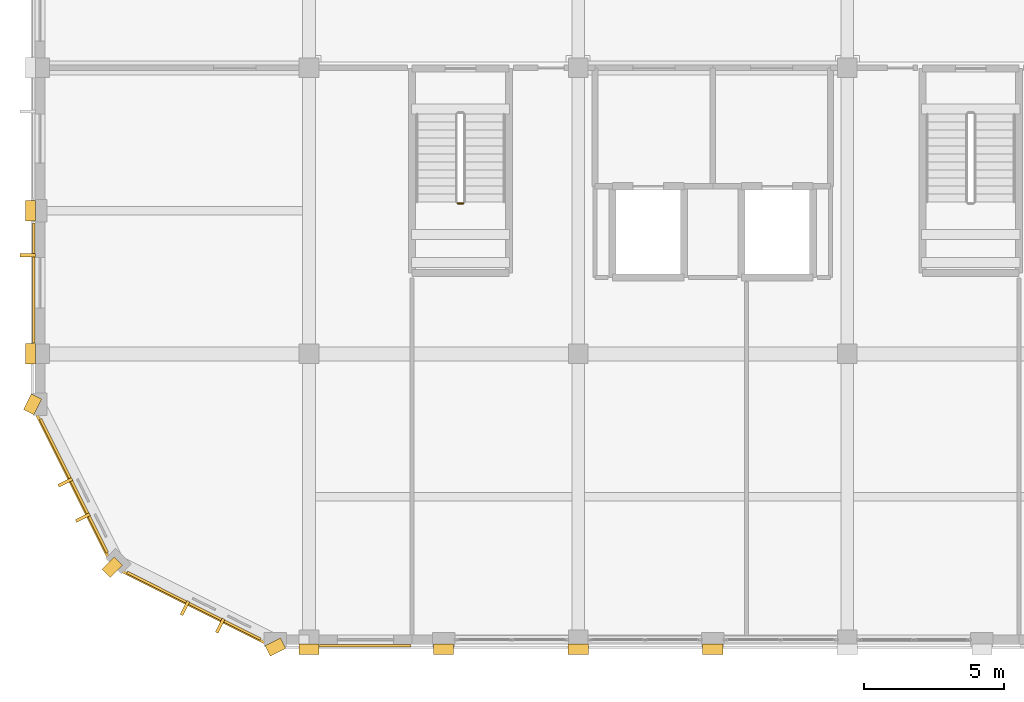
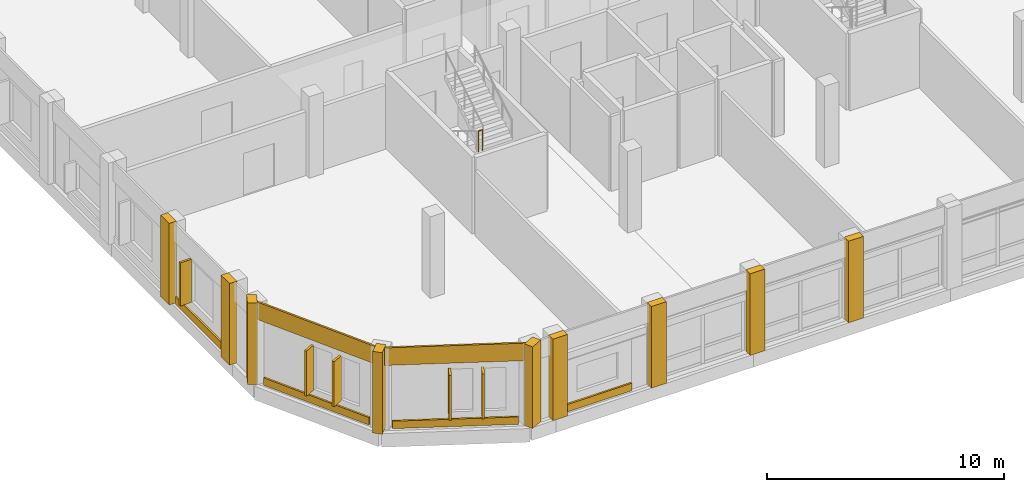
# One storey, part 169 of 185: 15 coverings, 5 shading devices, 1 railing.
"""IFC4 building model written with IfcOpenShell, lengths in metres."""

from ifc_helpers import new_model, si_unit, direction, frame, origin, origin_2d, place, context, subcontext, project, spatial, rectangle, circle, extrude, material, layer, layer_set, type_object, element, save


model = new_model("IFC4")

# Units and contexts
model_context = context("Model", 3, precision=1e-05, world=origin(), true_north=direction((0.0, 1.0)))
body_context = subcontext(model_context, "Body", "Model", "MODEL_VIEW")
ifc_project = project(units=[si_unit("LENGTHUNIT", "METRE"), si_unit("AREAUNIT", "SQUARE_METRE"), si_unit("VOLUMEUNIT", "CUBIC_METRE"), si_unit("PLANEANGLEUNIT", "RADIAN"), si_unit("MASSUNIT", "GRAM", prefix="KILO")], contexts=[model_context])

# Site, building, storey
site_placement = place(None, origin())
site = spatial("IfcSite", under=ifc_project, at=site_placement, CompositionType="ELEMENT")
building_placement = place(site_placement, origin())
building = spatial("IfcBuilding", under=site, at=building_placement, Name="Vondelvale Polytechnic", CompositionType="ELEMENT")
storey_placement = place(building_placement, frame((0.0, 0.0, 9.60009765625)))
storey = spatial("IfcBuildingStorey", under=building, at=storey_placement, Name="L02", CompositionType="ELEMENT", Elevation=9.60009765625)

# Coverings
ifc_material_1 = material(Name="Amsterdam School iron-spot clinker clay brickwork", Category="masonry")
ifc_layer_1 = layer(ifc_material_1, 0.090087890625)
ifc_layer_set_1 = layer_set([ifc_layer_1], Name="COV-BRICK-RELIEF")
covering_type = type_object("IfcCoveringType", Name="COV-BRICK-RELIEF", PredefinedType="CLADDING", material=ifc_layer_set_1)
for number, where, z_axis, x_axis, name in (
    (1, (5.4814453125, 1.1630859375, 3.300048828125), (0.0, 0.0, 1.0), (-0.89438856037, 0.447290848419, 0.0), "L02 exterior masonry spandrel band"),
    (2, (1.1630859375, 5.4814453125, 3.300048828125), (0.0, 0.0, 1.0), (-0.447290848419, 0.89438856037, 0.0), "L02 exterior masonry spandrel band"),
):
    element("IfcCovering", number, at=place(storey_placement, frame(where, z_axis=z_axis, x_axis=x_axis)), inside=storey, type_object=covering_type, Name=name, PredefinedType="CLADDING", context=body_context, shape_type="SweptSolid", body=[
        extrude(rectangle(XDim=6.260986328125, YDim=0.090087890625, at=origin_2d()), origin(), (0.0, 0.0, 1.0), 0.89990234375),
    ])
for number, where, z_axis, x_axis, name in (
    (3, (5.491943359375, 1.212646484375, 0.0), (0.0, 0.0, 1.0), (-0.89438856037, 0.447290848419, 0.0), "L02 exterior corbelled masonry relief band"),
    (4, (1.212646484375, 5.491943359375, 0.0), (0.0, 0.0, 1.0), (-0.447290848419, 0.89438856037, 0.0), "L02 exterior corbelled masonry relief band"),
):
    element("IfcCovering", number, at=place(storey_placement, frame(where, z_axis=z_axis, x_axis=x_axis)), inside=storey, type_object=covering_type, Name=name, PredefinedType="CLADDING", context=body_context, shape_type="SweptSolid", body=[
        extrude(rectangle(XDim=5.330078125, YDim=0.090087890625, at=origin_2d()), origin(), (0.0, 0.0, 1.0), 0.3798828125),
    ])
covering_1_placement = place(storey_placement, frame((11.613037109375, -0.216064453125, 0.0), z_axis=(0.0, 0.0, 1.0), x_axis=(-1.0, 0.0, 0.0)))
element("IfcCovering", 5, at=covering_1_placement, inside=storey, type_object=covering_type, Name="L02 exterior corbelled masonry relief band", PredefinedType="CLADDING", context=body_context, shape_type="SweptSolid", body=[
    extrude(rectangle(XDim=3.263916015625, YDim=0.090087890625, at=origin_2d()), origin(), (0.0, 0.0, 1.0), 0.3798828125),
])
covering_2_placement = place(storey_placement, frame((-0.216064453125, 12.72509765625, 0.0), z_axis=(0.0, 0.0, 1.0), x_axis=(0.0, 1.0, 0.0)))
element("IfcCovering", 6, at=covering_2_placement, inside=storey, type_object=covering_type, Name="L02 exterior corbelled masonry relief band", PredefinedType="CLADDING", context=body_context, shape_type="SweptSolid", body=[
    extrude(rectangle(XDim=4.2880859375, YDim=0.090087890625, at=origin_2d()), origin(), (0.0, 0.0, 1.0), 0.3798828125),
])
for number, where, z_axis, x_axis, name in (
    (7, (9.60009765625, -0.340087890625, 0.0), (0.0, 0.0, 1.0), (1.0, 0.0, 0.0), "L02 Classical street pilaster"),
    (8, (14.39990234375, -0.340087890625, 0.0), (0.0, 0.0, 1.0), (1.0, 0.0, 0.0), "L02 Classical street pilaster"),
    (9, (19.199951171875, -0.340087890625, 0.0), (0.0, 0.0, 1.0), (1.0, 0.0, 0.0), "L02 Classical street pilaster"),
    (10, (24.0, -0.340087890625, 0.0), (0.0, 0.0, 1.0), (1.0, 0.0, 0.0), "L02 Classical street pilaster"),
):
    element("IfcCovering", number, at=place(storey_placement, frame(where, z_axis=z_axis, x_axis=x_axis)), inside=storey, type_object=covering_type, Name=name, PredefinedType="CLADDING", context=body_context, shape_type="SweptSolid", body=[
        extrude(rectangle(XDim=0.719970703125, YDim=0.360107421875, at=origin_2d()), origin(), (0.0, 0.0, 1.0), 4.199951171875),
    ])
for number, where, z_axis, x_axis, name in (
    (11, (-0.340087890625, 10.199951171875, 0.0), (0.0, 0.0, 1.0), (1.0, 0.0, 0.0), "L02 Classical street pilaster"),
    (12, (-0.340087890625, 15.300048828125, 0.0), (0.0, 0.0, 1.0), (1.0, 0.0, 0.0), "L02 Classical street pilaster"),
):
    element("IfcCovering", number, at=place(storey_placement, frame(where, z_axis=z_axis, x_axis=x_axis)), inside=storey, type_object=covering_type, Name=name, PredefinedType="CLADDING", context=body_context, shape_type="SweptSolid", body=[
        extrude(rectangle(XDim=0.360107421875, YDim=0.719970703125, at=origin_2d()), origin(), (0.0, 0.0, 1.0), 4.199951171875),
    ])
for number, where, z_axis, x_axis, name in (
    (13, (8.39990234375, -0.260009765625, 0.0), (0.0, 0.0, 1.0), (0.894934361602, 0.44619781311, 0.0), "L02 Amsterdam School turret buttress rib"),
    (14, (2.580078125, 2.580078125, 0.0), (0.0, 0.0, 1.0), (0.707106781187, 0.707106781187, 0.0), "L02 Amsterdam School turret buttress rib"),
    (15, (-0.260009765625, 8.39990234375, 0.0), (0.0, 0.0, 1.0), (0.44619781311, 0.894934361602, 0.0), "L02 Amsterdam School turret buttress rib"),
):
    element("IfcCovering", number, at=place(storey_placement, frame(where, z_axis=z_axis, x_axis=x_axis)), inside=storey, type_object=covering_type, Name=name, PredefinedType="CLADDING", context=body_context, shape_type="SweptSolid", body=[
        extrude(rectangle(XDim=0.6201171875, YDim=0.419921875, at=origin_2d()), origin(), (0.0, 0.0, 1.0), 4.199951171875),
    ])

# Railing
ifc_material_2 = material(Name="Brushed architectural stainless and zinc-coated metal")
ifc_layer_2 = layer(ifc_material_2, 0.050048828125)
ifc_layer_set_2 = layer_set([ifc_layer_2], Name="RL-STAIR-GUARD")
railing_type = type_object("IfcRailingType", Name="RL-STAIR-GUARD", PredefinedType="GUARDRAIL", material=ifc_layer_set_2)
railing_placement = place(storey_placement, frame((14.89990234375, 15.56494140625, 2.099853515625)))
element("IfcRailing", 16, at=railing_placement, inside=storey, type_object=railing_type, Name="L02 ST-03 stair guard 2", PredefinedType="GUARDRAIL", context=body_context, shape_type="SweptSolid", body=[
    extrude(circle(Radius=0.02392578125, at=origin_2d()), frame((0.0, 0.0, 1.076171875), z_axis=(1.0, 0.0, 0.0), x_axis=(0.0, 1.0, 0.0)), (0.0, 0.0, 1.0), 0.2001953125),
    extrude(circle(Radius=0.02099609375, at=origin_2d()), origin(), (0.0, 0.0, 1.0), 1.052001953125),
    extrude(circle(Radius=0.02099609375, at=origin_2d()), frame((0.2001953125, 0.0, 0.0)), (0.0, 0.0, 1.0), 1.052001953125),
])

# Shading devices
ifc_material_3 = material(Name="Kiln-fired architectural terracotta", Category="masonry")
shading_device_type = type_object("IfcShadingDeviceType", Name="SHD-TERRA-FIN-550", PredefinedType="JALOUSIE", material=ifc_material_3)
for number, where, z_axis, x_axis, name in (
    (17, (6.427001953125, 0.5, 0.6396484375), (0.0, 0.0, 1.0), (-0.89438856037, 0.447290848419, 0.0), "L02 vertical terracotta solar fin"),
    (18, (5.1748046875, 1.126220703125, 0.6396484375), (0.0, 0.0, 1.0), (-0.89438856037, 0.447290848419, 0.0), "L02 vertical terracotta solar fin"),
    (19, (1.533203125, 4.361083984375, 0.6396484375), (0.0, 0.0, 1.0), (-0.447290848419, 0.89438856037, 0.0), "L02 vertical terracotta solar fin"),
    (20, (0.906982421875, 5.613037109375, 0.6396484375), (0.0, 0.0, 1.0), (-0.447290848419, 0.89438856037, 0.0), "L02 vertical terracotta solar fin"),
):
    element("IfcShadingDevice", number, at=place(storey_placement, frame(where, z_axis=z_axis, x_axis=x_axis)), inside=storey, type_object=shading_device_type, Name=name, PredefinedType="JALOUSIE", context=body_context, shape_type="SweptSolid", body=[
        extrude(rectangle(XDim=0.110107421875, YDim=0.550048828125, at=origin_2d()), origin(), (0.0, 0.0, 1.0), 2.320068359375),
    ])
shading_device_placement = place(storey_placement, frame((-0.43505859375, 13.715087890625, 0.7900390625), z_axis=(0.0, 0.0, 1.0), x_axis=(0.0, 1.0, 0.0)))
element("IfcShadingDevice", 21, at=shading_device_placement, inside=storey, type_object=shading_device_type, Name="L02 vertical terracotta solar fin", PredefinedType="JALOUSIE", context=body_context, shape_type="SweptSolid", body=[
    extrude(rectangle(XDim=0.110107421875, YDim=0.550048828125, at=origin_2d()), origin(), (0.0, 0.0, 1.0), 2.219970703125),
])

save(model, "model.ifc")
